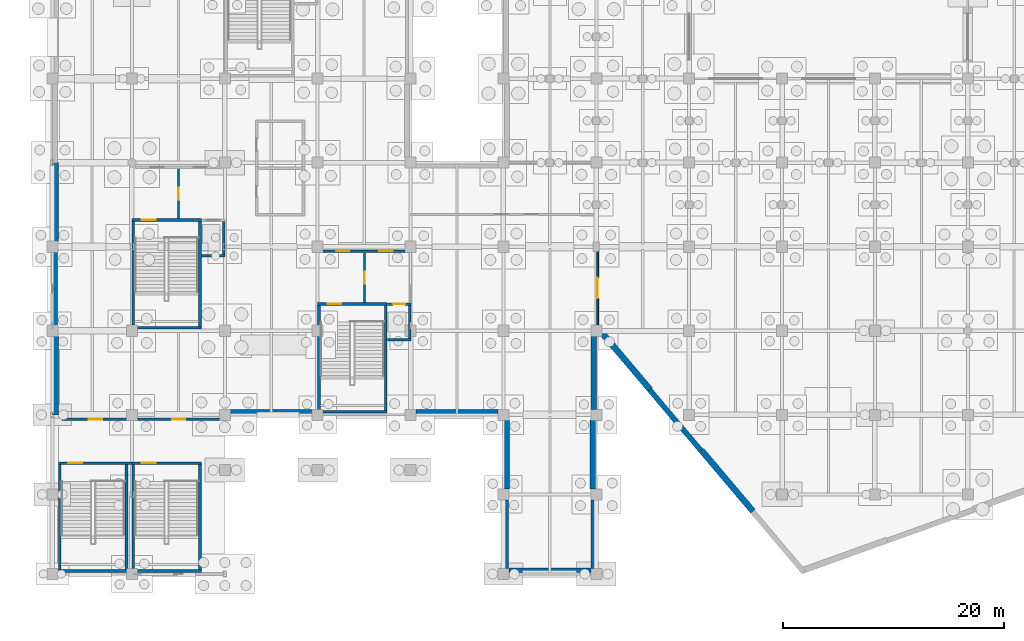
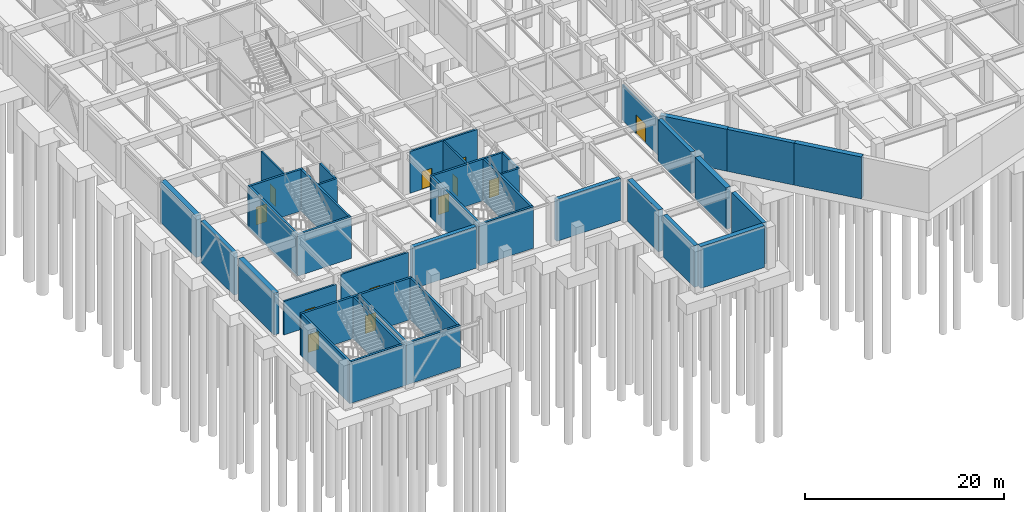
# One storey, part 39 of 52: 41 walls, 12 doors, 12 openings.
"""IFC4 building model written with IfcOpenShell, lengths in metres."""

from ifc_helpers import new_model, si_unit, direction, frame, frame_2d, origin, place, context, subcontext, project, spatial, rectangle, extrude, material, layer, layer_set, type_object, element, fill, save


model = new_model("IFC4")

# Units and contexts
model_context = context("Model", 3, precision=1e-05, world=origin(), true_north=direction((0.0, 1.0)))
body_context = subcontext(model_context, "Body", "Model", "MODEL_VIEW")
ifc_project = project(units=[si_unit("LENGTHUNIT", "METRE"), si_unit("AREAUNIT", "SQUARE_METRE"), si_unit("VOLUMEUNIT", "CUBIC_METRE"), si_unit("PLANEANGLEUNIT", "RADIAN"), si_unit("MASSUNIT", "GRAM", prefix="KILO")], contexts=[model_context])

# Site, building, storey
site_placement = place(None, origin())
site = spatial("IfcSite", under=ifc_project, at=site_placement, CompositionType="ELEMENT")
building_placement = place(site_placement, origin())
building = spatial("IfcBuilding", under=site, at=building_placement, Name="Xicomal Pleat Aquarium", CompositionType="ELEMENT")
storey_placement = place(building_placement, frame((0.0, 0.0, -5.39990234375)))
storey = spatial("IfcBuildingStorey", under=building, at=storey_placement, Name="B1", CompositionType="ELEMENT", Elevation=-5.39990234375)

# Walls
ifc_material_1 = material(Name="Concrete C40/50", Category="concrete")
ifc_layer_1 = layer(ifc_material_1, 0.219970703125)
ifc_layer_set_1 = layer_set([ifc_layer_1], Name="Concrete C40/50")
wall_type_1 = type_object("IfcWallType", Name="WAL-COR-220", PredefinedType="SHEAR", material=ifc_layer_set_1)
wall_1_placement = place(storey_placement, frame((16.5, 29.590087890625, 0.0), z_axis=(0.0, 0.0, 1.0), x_axis=(1.0, 0.0, 0.0)))
element("IfcWall", 1, at=wall_1_placement, inside=storey, type_object=wall_type_1, Name="B1 LF-01 lift shaft wall CW-B1-C1-LS", PredefinedType="SHEAR", context=body_context, shape_type="SweptSolid", body=[
    extrude(rectangle(XDim=2.1201171875, YDim=0.219970703125, at=frame_2d((1.06005859375, 0.0))), origin(), (0.0, 0.0, 1.0), 5.119873046875),
])
wall_2_placement = place(storey_placement, frame((18.510009765625, 29.699951171875, 0.0), z_axis=(0.0, 0.0, 1.0), x_axis=(0.0, 1.0, 0.0)))
element("IfcWall", 2, at=wall_2_placement, inside=storey, type_object=wall_type_1, Name="B1 LF-01 lift shaft wall CW-B1-C1-LE", PredefinedType="SHEAR", context=body_context, shape_type="SweptSolid", body=[
    extrude(rectangle(XDim=3.0, YDim=0.219970703125, at=frame_2d((1.5, 0.0))), origin(), (0.0, 0.0, 1.0), 5.119873046875),
])
wall_3_placement = place(storey_placement, frame((33.300048828125, 21.989990234375, 0.0), z_axis=(0.0, 0.0, 1.0), x_axis=(1.0, 0.0, 0.0)))
element("IfcWall", 3, at=wall_3_placement, inside=storey, type_object=wall_type_1, Name="B1 LF-02 lift shaft wall CW-B1-C2-LS", PredefinedType="SHEAR", context=body_context, shape_type="SweptSolid", body=[
    extrude(rectangle(XDim=2.119873046875, YDim=0.219970703125, at=frame_2d((1.06005859375, 0.0))), origin(), (0.0, 0.0, 1.0), 5.119873046875),
])

# Wall, opening, door
wall_4_placement = place(storey_placement, frame((33.300048828125, 25.2099609375, 0.0), z_axis=(0.0, 0.0, 1.0), x_axis=(1.0, 0.0, 0.0)))
wall_4 = element("IfcWall", 4, at=wall_4_placement, inside=storey, type_object=wall_type_1, Name="B1 LF-02 lift shaft wall CW-B1-C2-LN", PredefinedType="SHEAR", context=body_context, shape_type="SweptSolid", body=[
    extrude(rectangle(XDim=2.119873046875, YDim=0.219970703125, at=frame_2d((1.06005859375, 0.0))), origin(), (0.0, 0.0, 1.0), 5.119873046875),
])
opening_1_placement = place(wall_4_placement, frame((0.510009765625, 0.0, 0.0)))
opening_1 = element("IfcOpeningElement", 5, at=opening_1_placement, cuts=wall_4, Name="Opening LD-02-B1", PredefinedType="OPENING", context=body_context, shape_type="SweptSolid", body=[
    extrude(rectangle(XDim=1.10009765625, YDim=2.14990234375, at=frame_2d((0.550048828125, 1.074951171875))), frame((0.0, 0.119873046875, 0.0), z_axis=(0.0, -1.0, 0.0), x_axis=(1.0, 0.0, 0.0)), (0.0, 0.0, 1.0), 0.239990234375),
])
ifc_material_2 = material(Name="Brushed stainless steel 304", Category="steel")
door_type_1 = type_object("IfcDoorType", Name="DOR-LD-1100x2150", OperationType="DOUBLE_DOOR_SLIDING", PredefinedType="DOOR", material=ifc_material_2)
door_1_placement = place(opening_1_placement, origin())
door_1 = element("IfcDoor", 6, at=door_1_placement, inside=storey, type_object=door_type_1, Name="B1 LF-02 sliding lift landing door", OperationType="DOUBLE_DOOR_SLIDING", OverallHeight=2.14990234375, OverallWidth=1.10009765625, PredefinedType="DOOR", context=body_context, shape_type="SweptSolid", body=[
    extrude(rectangle(XDim=1.10009765625, YDim=2.14990234375, at=frame_2d((0.550048828125, 1.074951171875))), frame((0.0, 0.02490234375, 0.0), z_axis=(0.0, -1.0, 0.0), x_axis=(1.0, 0.0, 0.0)), (0.0, 0.0, 1.0), 0.050048828125),
])
fill(opening_1, door_1)

# Walls
wall_5_placement = place(storey_placement, frame((35.31005859375, 22.10009765625, 0.0), z_axis=(0.0, 0.0, 1.0), x_axis=(0.0, 1.0, 0.0)))
element("IfcWall", 7, at=wall_5_placement, inside=storey, type_object=wall_type_1, Name="B1 LF-02 lift shaft wall CW-B1-C2-LE", PredefinedType="SHEAR", context=body_context, shape_type="SweptSolid", body=[
    extrude(rectangle(XDim=3.0, YDim=0.219970703125, at=frame_2d((1.5, 0.0))), origin(), (0.0, 0.0, 1.0), 5.119873046875),
])
ifc_material_3 = material(Name="Concrete C40/50", Category="concrete")
ifc_layer_2 = layer(ifc_material_3, 0.25)
ifc_layer_set_2 = layer_set([ifc_layer_2], Name="Concrete C40/50")
wall_type_2 = type_object("IfcWallType", Name="WAL-COR-250", PredefinedType="SHEAR", material=ifc_layer_set_2)
wall_6_placement = place(storey_placement, frame((10.18994140625, 23.074951171875, 0.0), z_axis=(0.0, 0.0, 1.0), x_axis=(1.0, 0.0, 0.0)))
element("IfcWall", 8, at=wall_6_placement, inside=storey, type_object=wall_type_2, Name="B1 CORE-1 stair shear wall CW-B1-C1-SS", PredefinedType="SHEAR", context=body_context, shape_type="SweptSolid", body=[
    extrude(rectangle(XDim=6.280029296875, YDim=0.25, at=frame_2d((3.14013671875, 0.0))), origin(), (0.0, 0.0, 1.0), 5.119873046875),
])

# Wall, opening, door
wall_7_placement = place(storey_placement, frame((10.18994140625, 32.824951171875, 0.0), z_axis=(0.0, 0.0, 1.0), x_axis=(1.0, 0.0, 0.0)))
wall_7 = element("IfcWall", 9, at=wall_7_placement, inside=storey, type_object=wall_type_2, Name="B1 CORE-1 stair shear wall CW-B1-C1-SN", PredefinedType="SHEAR", context=body_context, shape_type="SweptSolid", body=[
    extrude(rectangle(XDim=6.280029296875, YDim=0.25, at=frame_2d((3.14013671875, 0.0))), origin(), (0.0, 0.0, 1.0), 5.119873046875),
])
opening_2_placement = place(wall_7_placement, frame((0.89990234375, 0.0, 0.0)))
opening_2 = element("IfcOpeningElement", 10, at=opening_2_placement, cuts=wall_7, Name="Opening SD-01-B1", PredefinedType="OPENING", context=body_context, shape_type="SweptSolid", body=[
    extrude(rectangle(XDim=1.25, YDim=2.199951171875, at=frame_2d((0.625, 1.10009765625))), frame((0.0, 0.135009765625, 0.0), z_axis=(0.0, -1.0, 0.0), x_axis=(1.0, 0.0, 0.0)), (0.0, 0.0, 1.0), 0.27001953125),
])
ifc_material_4 = material(Name="Powder-coated steel fire door", Category="steel")
door_type_2 = type_object("IfcDoorType", Name="DOR-ST-1250x2200", OperationType="NOTDEFINED", PredefinedType="DOOR", material=ifc_material_4)
door_2_placement = place(opening_2_placement, origin())
door_2 = element("IfcDoor", 11, at=door_2_placement, inside=storey, type_object=door_type_2, Name="B1 ST-01 protected stair door", OperationType="SINGLE_SWING_LEFT", OverallHeight=2.199951171875, OverallWidth=1.25, PredefinedType="DOOR", context=body_context, shape_type="SweptSolid", body=[
    extrude(rectangle(XDim=1.25, YDim=2.199951171875, at=frame_2d((0.625, 1.10009765625))), frame((0.0, 0.02490234375, 0.0), z_axis=(0.0, -1.0, 0.0), x_axis=(1.0, 0.0, 0.0)), (0.0, 0.0, 1.0), 0.050048828125),
])
fill(opening_2, door_2)

# Walls
for number, where, z_axis, x_axis, name in (
    (12, (10.31494140625, 23.199951171875, 0.0), (0.0, 0.0, 1.0), (0.0, 1.0, 0.0), "B1 CORE-1 stair shear wall CW-B1-C1-SW"),
    (13, (16.344970703125, 23.199951171875, 0.0), (0.0, 0.0, 1.0), (0.0, 1.0, 0.0), "B1 CORE-1 stair shear wall CW-B1-C1-SE"),
):
    element("IfcWall", number, at=place(storey_placement, frame(where, z_axis=z_axis, x_axis=x_axis)), inside=storey, type_object=wall_type_2, Name=name, PredefinedType="SHEAR", context=body_context, shape_type="SweptSolid", body=[
        extrude(rectangle(XDim=9.5, YDim=0.25, at=frame_2d((4.75, 0.0))), origin(), (0.0, 0.0, 1.0), 5.119873046875),
    ])
wall_8_placement = place(storey_placement, frame((26.989990234375, 15.47509765625, 0.0), z_axis=(0.0, 0.0, 1.0), x_axis=(1.0, 0.0, 0.0)))
element("IfcWall", 14, at=wall_8_placement, inside=storey, type_object=wall_type_2, Name="B1 CORE-2 stair shear wall CW-B1-C2-SS", PredefinedType="SHEAR", context=body_context, shape_type="SweptSolid", body=[
    extrude(rectangle(XDim=6.280029296875, YDim=0.25, at=frame_2d((3.14013671875, 0.0))), origin(), (0.0, 0.0, 1.0), 5.119873046875),
])

# Wall, opening, door
wall_9_placement = place(storey_placement, frame((26.989990234375, 25.22509765625, 0.0), z_axis=(0.0, 0.0, 1.0), x_axis=(1.0, 0.0, 0.0)))
wall_9 = element("IfcWall", 15, at=wall_9_placement, inside=storey, type_object=wall_type_2, Name="B1 CORE-2 stair shear wall CW-B1-C2-SN", PredefinedType="SHEAR", context=body_context, shape_type="SweptSolid", body=[
    extrude(rectangle(XDim=6.280029296875, YDim=0.25, at=frame_2d((3.14013671875, 0.0))), origin(), (0.0, 0.0, 1.0), 5.119873046875),
])
opening_3_placement = place(wall_9_placement, frame((0.89990234375, 0.0, 0.0)))
opening_3 = element("IfcOpeningElement", 16, at=opening_3_placement, cuts=wall_9, Name="Opening SD-02-B1", PredefinedType="OPENING", context=body_context, shape_type="SweptSolid", body=[
    extrude(rectangle(XDim=1.25, YDim=2.199951171875, at=frame_2d((0.625, 1.10009765625))), frame((0.0, 0.135009765625, 0.0), z_axis=(0.0, -1.0, 0.0), x_axis=(1.0, 0.0, 0.0)), (0.0, 0.0, 1.0), 0.27001953125),
])
door_3_placement = place(opening_3_placement, origin())
door_3 = element("IfcDoor", 17, at=door_3_placement, inside=storey, type_object=door_type_2, Name="B1 ST-02 protected stair door", OperationType="SINGLE_SWING_LEFT", OverallHeight=2.199951171875, OverallWidth=1.25, PredefinedType="DOOR", context=body_context, shape_type="SweptSolid", body=[
    extrude(rectangle(XDim=1.25, YDim=2.199951171875, at=frame_2d((0.625, 1.10009765625))), frame((0.0, 0.02490234375, 0.0), z_axis=(0.0, -1.0, 0.0), x_axis=(1.0, 0.0, 0.0)), (0.0, 0.0, 1.0), 0.050048828125),
])
fill(opening_3, door_3)

# Walls
for number, where, z_axis, x_axis, name in (
    (18, (27.114990234375, 15.60009765625, 0.0), (0.0, 0.0, 1.0), (0.0, 1.0, 0.0), "B1 CORE-2 stair shear wall CW-B1-C2-SW"),
    (19, (33.14501953125, 15.60009765625, 0.0), (0.0, 0.0, 1.0), (0.0, 1.0, 0.0), "B1 CORE-2 stair shear wall CW-B1-C2-SE"),
):
    element("IfcWall", number, at=place(storey_placement, frame(where, z_axis=z_axis, x_axis=x_axis)), inside=storey, type_object=wall_type_2, Name=name, PredefinedType="SHEAR", context=body_context, shape_type="SweptSolid", body=[
        extrude(rectangle(XDim=9.5, YDim=0.25, at=frame_2d((4.75, 0.0))), origin(), (0.0, 0.0, 1.0), 5.119873046875),
    ])
wall_10_placement = place(storey_placement, frame((10.18994140625, 1.074951171875, 0.0), z_axis=(0.0, 0.0, 1.0), x_axis=(1.0, 0.0, 0.0)))
element("IfcWall", 20, at=wall_10_placement, inside=storey, type_object=wall_type_2, Name="B1 CORE-9 stair shear wall CW-B1-C9-SS", PredefinedType="SHEAR", context=body_context, shape_type="SweptSolid", body=[
    extrude(rectangle(XDim=6.280029296875, YDim=0.25, at=frame_2d((3.14013671875, 0.0))), origin(), (0.0, 0.0, 1.0), 5.119873046875),
])

# Wall, opening, door
wall_11_placement = place(storey_placement, frame((10.18994140625, 10.824951171875, 0.0), z_axis=(0.0, 0.0, 1.0), x_axis=(1.0, 0.0, 0.0)))
wall_11 = element("IfcWall", 21, at=wall_11_placement, inside=storey, type_object=wall_type_2, Name="B1 CORE-9 stair shear wall CW-B1-C9-SN", PredefinedType="SHEAR", context=body_context, shape_type="SweptSolid", body=[
    extrude(rectangle(XDim=6.280029296875, YDim=0.25, at=frame_2d((3.14013671875, 0.0))), origin(), (0.0, 0.0, 1.0), 5.119873046875),
])
opening_4_placement = place(wall_11_placement, frame((0.89990234375, 0.0, 0.0)))
opening_4 = element("IfcOpeningElement", 22, at=opening_4_placement, cuts=wall_11, Name="Opening SD-09-B1", PredefinedType="OPENING", context=body_context, shape_type="SweptSolid", body=[
    extrude(rectangle(XDim=1.25, YDim=2.199951171875, at=frame_2d((0.625, 1.10009765625))), frame((0.0, 0.135009765625, 0.0), z_axis=(0.0, -1.0, 0.0), x_axis=(1.0, 0.0, 0.0)), (0.0, 0.0, 1.0), 0.27001953125),
])
door_4_placement = place(opening_4_placement, origin())
door_4 = element("IfcDoor", 23, at=door_4_placement, inside=storey, type_object=door_type_2, Name="B1 ST-09 protected stair door", OperationType="SINGLE_SWING_LEFT", OverallHeight=2.199951171875, OverallWidth=1.25, PredefinedType="DOOR", context=body_context, shape_type="SweptSolid", body=[
    extrude(rectangle(XDim=1.25, YDim=2.199951171875, at=frame_2d((0.625, 1.10009765625))), frame((0.0, 0.02490234375, 0.0), z_axis=(0.0, -1.0, 0.0), x_axis=(1.0, 0.0, 0.0)), (0.0, 0.0, 1.0), 0.050048828125),
])
fill(opening_4, door_4)

# Walls
for number, where, z_axis, x_axis, name in (
    (24, (10.31494140625, 1.199951171875, 0.0), (0.0, 0.0, 1.0), (0.0, 1.0, 0.0), "B1 CORE-9 stair shear wall CW-B1-C9-SW"),
    (25, (16.344970703125, 1.199951171875, 0.0), (0.0, 0.0, 1.0), (0.0, 1.0, 0.0), "B1 CORE-9 stair shear wall CW-B1-C9-SE"),
):
    element("IfcWall", number, at=place(storey_placement, frame(where, z_axis=z_axis, x_axis=x_axis)), inside=storey, type_object=wall_type_2, Name=name, PredefinedType="SHEAR", context=body_context, shape_type="SweptSolid", body=[
        extrude(rectangle(XDim=9.5, YDim=0.25, at=frame_2d((4.75, 0.0))), origin(), (0.0, 0.0, 1.0), 5.119873046875),
    ])
wall_12_placement = place(storey_placement, frame((3.550048828125, 1.074951171875, 0.0), z_axis=(0.0, 0.0, 1.0), x_axis=(1.0, 0.0, 0.0)))
element("IfcWall", 26, at=wall_12_placement, inside=storey, type_object=wall_type_2, Name="B1 CORE-10 stair shear wall CW-B1-C10-SS", PredefinedType="SHEAR", context=body_context, shape_type="SweptSolid", body=[
    extrude(rectangle(XDim=6.639892578125, YDim=0.25, at=frame_2d((3.31982421875, 0.0))), origin(), (0.0, 0.0, 1.0), 5.119873046875),
])

# Wall, opening, door
wall_13_placement = place(storey_placement, frame((3.550048828125, 10.824951171875, 0.0), z_axis=(0.0, 0.0, 1.0), x_axis=(1.0, 0.0, 0.0)))
wall_13 = element("IfcWall", 27, at=wall_13_placement, inside=storey, type_object=wall_type_2, Name="B1 CORE-10 stair shear wall CW-B1-C10-SN", PredefinedType="SHEAR", context=body_context, shape_type="SweptSolid", body=[
    extrude(rectangle(XDim=6.639892578125, YDim=0.25, at=frame_2d((3.31982421875, 0.0))), origin(), (0.0, 0.0, 1.0), 5.119873046875),
])
opening_5_placement = place(wall_13_placement, frame((0.89990234375, 0.0, 0.0)))
opening_5 = element("IfcOpeningElement", 28, at=opening_5_placement, cuts=wall_13, Name="Opening SD-10-B1", PredefinedType="OPENING", context=body_context, shape_type="SweptSolid", body=[
    extrude(rectangle(XDim=1.25, YDim=2.199951171875, at=frame_2d((0.625, 1.10009765625))), frame((0.0, 0.135009765625, 0.0), z_axis=(0.0, -1.0, 0.0), x_axis=(1.0, 0.0, 0.0)), (0.0, 0.0, 1.0), 0.27001953125),
])
door_5_placement = place(opening_5_placement, origin())
door_5 = element("IfcDoor", 29, at=door_5_placement, inside=storey, type_object=door_type_2, Name="B1 ST-10 protected stair door", OperationType="SINGLE_SWING_LEFT", OverallHeight=2.199951171875, OverallWidth=1.25, PredefinedType="DOOR", context=body_context, shape_type="SweptSolid", body=[
    extrude(rectangle(XDim=1.25, YDim=2.199951171875, at=frame_2d((0.625, 1.10009765625))), frame((0.0, 0.02490234375, 0.0), z_axis=(0.0, -1.0, 0.0), x_axis=(1.0, 0.0, 0.0)), (0.0, 0.0, 1.0), 0.050048828125),
])
fill(opening_5, door_5)

# Walls
for number, where, z_axis, x_axis, name in (
    (30, (3.675048828125, 1.199951171875, 0.0), (0.0, 0.0, 1.0), (0.0, 1.0, 0.0), "B1 CORE-10 stair shear wall CW-B1-C10-SW"),
    (31, (9.705078125, 1.199951171875, 0.0), (0.0, 0.0, 1.0), (0.0, 1.0, 0.0), "B1 CORE-10 stair shear wall CW-B1-C10-SE"),
):
    element("IfcWall", number, at=place(storey_placement, frame(where, z_axis=z_axis, x_axis=x_axis)), inside=storey, type_object=wall_type_2, Name=name, PredefinedType="SHEAR", context=body_context, shape_type="SweptSolid", body=[
        extrude(rectangle(XDim=9.5, YDim=0.25, at=frame_2d((4.75, 0.0))), origin(), (0.0, 0.0, 1.0), 5.119873046875),
    ])

# Wall, opening, door
ifc_material_5 = material(Name="Water-resistant cement-board wet-lab partition", Category="gypsum")
ifc_layer_3 = layer(ifc_material_5, 0.157958984375)
ifc_layer_set_3 = layer_set([ifc_layer_3], Name="Water-resistant cement-board wet-lab partition")
wall_type_3 = type_object("IfcWallType", Name="WAL-PRT-158", PredefinedType="PARTITIONING", material=ifc_layer_set_3)
wall_14_placement = place(storey_placement, frame((52.320068359375, 22.909912109375, 0.0), z_axis=(0.0, 0.0, 1.0), x_axis=(0.0, 1.0, 0.0)))
wall_14 = element("IfcWall", 32, at=wall_14_placement, inside=storey, type_object=wall_type_3, Name="B1 interior partition PT-B1-010", PredefinedType="PARTITIONING", context=body_context, shape_type="SweptSolid", body=[
    extrude(rectangle(XDim=7.489990234375, YDim=0.157958984375, at=frame_2d((3.7451171875, 0.0))), origin(), (0.0, 0.0, 1.0), 4.344970703125),
])
opening_6_placement = place(wall_14_placement, frame((2.820068359375, 0.0, 0.0)))
opening_6 = element("IfcOpeningElement", 33, at=opening_6_placement, cuts=wall_14, Name="Opening DR-B1-004", PredefinedType="OPENING", context=body_context, shape_type="SweptSolid", body=[
    extrude(rectangle(XDim=1.85009765625, YDim=2.300048828125, at=frame_2d((0.925048828125, 1.14990234375))), frame((0.0, 0.0888671875, 0.0), z_axis=(0.0, -1.0, 0.0), x_axis=(1.0, 0.0, 0.0)), (0.0, 0.0, 1.0), 0.177978515625),
])
ifc_material_6 = material(Name="Solid-core hardwood and anodized aluminium frame", Category="wood")
door_type_3 = type_object("IfcDoorType", Name="DOR-UNR-1850x2300", OperationType="DOUBLE_DOOR_SINGLE_SWING", PredefinedType="DOOR", material=ifc_material_6)
door_6_placement = place(opening_6_placement, origin())
door_6 = element("IfcDoor", 34, at=door_6_placement, inside=storey, type_object=door_type_3, Name="B1 Pelagic Sub-Aquatic Acrylic Viewing Tunnel door DR-B1-004", OperationType="DOUBLE_DOOR_SINGLE_SWING", OverallHeight=2.300048828125, OverallWidth=1.85009765625, PredefinedType="DOOR", context=body_context, shape_type="SweptSolid", body=[
    extrude(rectangle(XDim=1.85009765625, YDim=2.300048828125, at=frame_2d((0.925048828125, 1.14990234375))), frame((0.0, 0.02490234375, 0.0), z_axis=(0.0, -1.0, 0.0), x_axis=(1.0, 0.0, 0.0)), (0.0, 0.0, 1.0), 0.050048828125),
])
fill(opening_6, door_6)

ifc_material_7 = material(Name="Acoustic double-stud drywall partition", Category="gypsum")
ifc_layer_4 = layer(ifc_material_7, 0.195068359375)
ifc_layer_set_4 = layer_set([ifc_layer_4], Name="Acoustic double-stud drywall partition")
wall_type_4 = type_object("IfcWallType", Name="WAL-PRT-195", PredefinedType="PARTITIONING", material=ifc_layer_set_4)
wall_15_placement = place(storey_placement, frame((14.425048828125, 32.949951171875, 0.0), z_axis=(0.0, 0.0, 1.0), x_axis=(0.0, 1.0, 0.0)))
wall_15 = element("IfcWall", 35, at=wall_15_placement, inside=storey, type_object=wall_type_4, Name="B1 firefighting lobby smoke divider 1", PredefinedType="PARTITIONING", context=body_context, shape_type="SweptSolid", body=[
    extrude(rectangle(XDim=4.5, YDim=0.195068359375, at=frame_2d((2.25, 0.0))), origin(), (0.0, 0.0, 1.0), 5.119873046875),
])
opening_7_placement = place(wall_15_placement, frame((1.699951171875, 0.0, 0.0)))
opening_7 = element("IfcOpeningElement", 36, at=opening_7_placement, cuts=wall_15, Name="Opening FD-01C-B1", PredefinedType="OPENING", context=body_context, shape_type="SweptSolid", body=[
    extrude(rectangle(XDim=1.10009765625, YDim=2.14990234375, at=frame_2d((0.550048828125, 1.074951171875))), frame((0.0, 0.107421875, 0.0), z_axis=(0.0, -1.0, 0.0), x_axis=(1.0, 0.0, 0.0)), (0.0, 0.0, 1.0), 0.215087890625),
])
ifc_material_8 = material(Name="Powder-coated steel fire door", Category="steel")
door_type_4 = type_object("IfcDoorType", Name="DOR-LAB-1100x2150", OperationType="NOTDEFINED", PredefinedType="DOOR", material=ifc_material_8)
door_7_placement = place(opening_7_placement, origin())
door_7 = element("IfcDoor", 37, at=door_7_placement, inside=storey, type_object=door_type_4, Name="B1 lobby interconnecting fire door 1C", OperationType="SINGLE_SWING_LEFT", OverallHeight=2.14990234375, OverallWidth=1.10009765625, PredefinedType="DOOR", context=body_context, shape_type="SweptSolid", body=[
    extrude(rectangle(XDim=1.10009765625, YDim=2.14990234375, at=frame_2d((0.550048828125, 1.074951171875))), frame((0.0, 0.02490234375, 0.0), z_axis=(0.0, -1.0, 0.0), x_axis=(1.0, 0.0, 0.0)), (0.0, 0.0, 1.0), 0.050048828125),
])
fill(opening_7, door_7)

wall_16_placement = place(storey_placement, frame((31.22509765625, 25.35009765625, 0.0), z_axis=(0.0, 0.0, 1.0), x_axis=(0.0, 1.0, 0.0)))
wall_16 = element("IfcWall", 38, at=wall_16_placement, inside=storey, type_object=wall_type_4, Name="B1 firefighting lobby smoke divider 2", PredefinedType="PARTITIONING", context=body_context, shape_type="SweptSolid", body=[
    extrude(rectangle(XDim=4.5, YDim=0.195068359375, at=frame_2d((2.25, 0.0))), origin(), (0.0, 0.0, 1.0), 5.119873046875),
])
opening_8_placement = place(wall_16_placement, frame((1.699951171875, 0.0, 0.0)))
opening_8 = element("IfcOpeningElement", 39, at=opening_8_placement, cuts=wall_16, Name="Opening FD-02C-B1", PredefinedType="OPENING", context=body_context, shape_type="SweptSolid", body=[
    extrude(rectangle(XDim=1.10009765625, YDim=2.14990234375, at=frame_2d((0.550048828125, 1.074951171875))), frame((0.0, 0.107421875, 0.0), z_axis=(0.0, -1.0, 0.0), x_axis=(1.0, 0.0, 0.0)), (0.0, 0.0, 1.0), 0.215087890625),
])
door_8_placement = place(opening_8_placement, origin())
door_8 = element("IfcDoor", 40, at=door_8_placement, inside=storey, type_object=door_type_4, Name="B1 lobby interconnecting fire door 2C", OperationType="SINGLE_SWING_LEFT", OverallHeight=2.14990234375, OverallWidth=1.10009765625, PredefinedType="DOOR", context=body_context, shape_type="SweptSolid", body=[
    extrude(rectangle(XDim=1.10009765625, YDim=2.14990234375, at=frame_2d((0.550048828125, 1.074951171875))), frame((0.0, 0.02490234375, 0.0), z_axis=(0.0, -1.0, 0.0), x_axis=(1.0, 0.0, 0.0)), (0.0, 0.0, 1.0), 0.050048828125),
])
fill(opening_8, door_8)

# Wall, openings, doors
ifc_material_9 = material(Name="Fire-rated gypsum and mineral-wool partition", Category="gypsum")
ifc_layer_5 = layer(ifc_material_9, 0.2099609375)
ifc_layer_set_5 = layer_set([ifc_layer_5], Name="Fire-rated gypsum and mineral-wool partition")
wall_type_5 = type_object("IfcWallType", Name="WAL-PRT-210", PredefinedType="PARTITIONING", material=ifc_layer_set_5)
wall_17_placement = place(storey_placement, frame((27.300048828125, 30.0, 0.0), z_axis=(0.0, 0.0, 1.0), x_axis=(1.0, 0.0, 0.0)))
wall_17 = element("IfcWall", 41, at=wall_17_placement, inside=storey, type_object=wall_type_5, Name="B1 CORE-2 lobby fire enclosure wall", PredefinedType="PARTITIONING", context=body_context, shape_type="SweptSolid", body=[
    extrude(rectangle(XDim=7.849853515625, YDim=0.2099609375, at=frame_2d((3.9248046875, 0.0))), origin(), (0.0, 0.0, 1.0), 5.119873046875),
])
opening_9_placement = place(wall_17_placement, frame((1.362060546875, 0.0, 0.0)))
opening_9 = element("IfcOpeningElement", 42, at=opening_9_placement, cuts=wall_17, Name="Opening FD-02A-B1", PredefinedType="OPENING", context=body_context, shape_type="SweptSolid", body=[
    extrude(rectangle(XDim=1.199951171875, YDim=2.199951171875, at=frame_2d((0.60009765625, 1.10009765625))), frame((0.0, 0.114990234375, 0.0), z_axis=(0.0, -1.0, 0.0), x_axis=(1.0, 0.0, 0.0)), (0.0, 0.0, 1.0), 0.22998046875),
])
opening_10_placement = place(wall_17_placement, frame((5.287109375, 0.0, 0.0)))
opening_10 = element("IfcOpeningElement", 43, at=opening_10_placement, cuts=wall_17, Name="Opening FD-02B-B1", PredefinedType="OPENING", context=body_context, shape_type="SweptSolid", body=[
    extrude(rectangle(XDim=1.199951171875, YDim=2.199951171875, at=frame_2d((0.60009765625, 1.10009765625))), frame((0.0, 0.114990234375, 0.0), z_axis=(0.0, -1.0, 0.0), x_axis=(1.0, 0.0, 0.0)), (0.0, 0.0, 1.0), 0.22998046875),
])
ifc_material_10 = material(Name="Powder-coated steel fire door", Category="steel")
door_type_5 = type_object("IfcDoorType", Name="DOR-FFL-1200x2200", OperationType="NOTDEFINED", PredefinedType="DOOR", material=ifc_material_10)
door_9_placement = place(opening_9_placement, origin())
door_9 = element("IfcDoor", 44, at=door_9_placement, inside=storey, type_object=door_type_5, Name="B1 firefighting lobby door 2A", OperationType="SINGLE_SWING_LEFT", OverallHeight=2.199951171875, OverallWidth=1.199951171875, PredefinedType="DOOR", context=body_context, shape_type="SweptSolid", body=[
    extrude(rectangle(XDim=1.199951171875, YDim=2.199951171875, at=frame_2d((0.60009765625, 1.10009765625))), frame((0.0, 0.02490234375, 0.0), z_axis=(0.0, -1.0, 0.0), x_axis=(1.0, 0.0, 0.0)), (0.0, 0.0, 1.0), 0.050048828125),
])
fill(opening_9, door_9)
door_10_placement = place(opening_10_placement, origin())
door_10 = element("IfcDoor", 45, at=door_10_placement, inside=storey, type_object=door_type_5, Name="B1 lift lobby door 2B", OperationType="SINGLE_SWING_RIGHT", OverallHeight=2.199951171875, OverallWidth=1.199951171875, PredefinedType="DOOR", context=body_context, shape_type="SweptSolid", body=[
    extrude(rectangle(XDim=1.199951171875, YDim=2.199951171875, at=frame_2d((0.60009765625, 1.10009765625))), frame((0.0, 0.02490234375, 0.0), z_axis=(0.0, -1.0, 0.0), x_axis=(1.0, 0.0, 0.0)), (0.0, 0.0, 1.0), 0.050048828125),
])
fill(opening_10, door_10)

# Wall, opening, door
wall_18_placement = place(storey_placement, frame((10.5, 14.800048828125, 0.0), z_axis=(0.0, 0.0, 1.0), x_axis=(1.0, 0.0, 0.0)))
wall_18 = element("IfcWall", 46, at=wall_18_placement, inside=storey, type_object=wall_type_5, Name="B1 CORE-9 lobby fire enclosure wall", PredefinedType="PARTITIONING", context=body_context, shape_type="SweptSolid", body=[
    extrude(rectangle(XDim=7.85009765625, YDim=0.2099609375, at=frame_2d((3.925048828125, 0.0))), origin(), (0.0, 0.0, 1.0), 5.119873046875),
])
opening_11_placement = place(wall_18_placement, frame((3.324951171875, 0.0, 0.0)))
opening_11 = element("IfcOpeningElement", 47, at=opening_11_placement, cuts=wall_18, Name="Opening FD-09A-B1", PredefinedType="OPENING", context=body_context, shape_type="SweptSolid", body=[
    extrude(rectangle(XDim=1.199951171875, YDim=2.199951171875, at=frame_2d((0.60009765625, 1.10009765625))), frame((0.0, 0.114990234375, 0.0), z_axis=(0.0, -1.0, 0.0), x_axis=(1.0, 0.0, 0.0)), (0.0, 0.0, 1.0), 0.22998046875),
])
door_11_placement = place(opening_11_placement, origin())
door_11 = element("IfcDoor", 48, at=door_11_placement, inside=storey, type_object=door_type_5, Name="B1 firefighting lobby door 9A", OperationType="SINGLE_SWING_LEFT", OverallHeight=2.199951171875, OverallWidth=1.199951171875, PredefinedType="DOOR", context=body_context, shape_type="SweptSolid", body=[
    extrude(rectangle(XDim=1.199951171875, YDim=2.199951171875, at=frame_2d((0.60009765625, 1.10009765625))), frame((0.0, 0.02490234375, 0.0), z_axis=(0.0, -1.0, 0.0), x_axis=(1.0, 0.0, 0.0)), (0.0, 0.0, 1.0), 0.050048828125),
])
fill(opening_11, door_11)

wall_19_placement = place(storey_placement, frame((3.860107421875, 14.800048828125, 0.0), z_axis=(0.0, 0.0, 1.0), x_axis=(1.0, 0.0, 0.0)))
wall_19 = element("IfcWall", 49, at=wall_19_placement, inside=storey, type_object=wall_type_5, Name="B1 CORE-10 lobby fire enclosure wall", PredefinedType="PARTITIONING", context=body_context, shape_type="SweptSolid", body=[
    extrude(rectangle(XDim=6.08984375, YDim=0.2099609375, at=frame_2d((3.044921875, 0.0))), origin(), (0.0, 0.0, 1.0), 4.114990234375),
])
opening_12_placement = place(wall_19_placement, frame((2.445068359375, 0.0, 0.0)))
opening_12 = element("IfcOpeningElement", 50, at=opening_12_placement, cuts=wall_19, Name="Opening FD-10A-B1", PredefinedType="OPENING", context=body_context, shape_type="SweptSolid", body=[
    extrude(rectangle(XDim=1.199951171875, YDim=2.199951171875, at=frame_2d((0.60009765625, 1.10009765625))), frame((0.0, 0.114990234375, 0.0), z_axis=(0.0, -1.0, 0.0), x_axis=(1.0, 0.0, 0.0)), (0.0, 0.0, 1.0), 0.22998046875),
])
door_12_placement = place(opening_12_placement, origin())
door_12 = element("IfcDoor", 51, at=door_12_placement, inside=storey, type_object=door_type_5, Name="B1 firefighting lobby door 10A", OperationType="SINGLE_SWING_LEFT", OverallHeight=2.199951171875, OverallWidth=1.199951171875, PredefinedType="DOOR", context=body_context, shape_type="SweptSolid", body=[
    extrude(rectangle(XDim=1.199951171875, YDim=2.199951171875, at=frame_2d((0.60009765625, 1.10009765625))), frame((0.0, 0.02490234375, 0.0), z_axis=(0.0, -1.0, 0.0), x_axis=(1.0, 0.0, 0.0)), (0.0, 0.0, 1.0), 0.050048828125),
])
fill(opening_12, door_12)

# Walls
ifc_material_11 = material(Name="Waterproof concrete C40/50", Category="concrete")
ifc_layer_6 = layer(ifc_material_11, 0.4599609375)
ifc_layer_set_6 = layer_set([ifc_layer_6], Name="Waterproof concrete C40/50")
wall_type_6 = type_object("IfcWallType", Name="WAL-RET-460", PredefinedType="USERDEFINED", material=ifc_layer_set_6)
wall_20_placement = place(storey_placement, frame((61.676025390625, 11.947998046875, 0.0), z_axis=(0.0, 0.0, 1.0), x_axis=(-0.645642843129, 0.76363952171, 0.0)))
element("IfcWall", 52, at=wall_20_placement, inside=storey, type_object=wall_type_6, Name="Basement waterproof retaining wall RW-B1-059", ObjectType="RETAINING WALL", PredefinedType="USERDEFINED", context=body_context, shape_type="SweptSolid", body=[
    extrude(rectangle(XDim=7.202392578125, YDim=0.4599609375, at=frame_2d((3.60107421875, 0.0))), origin(), (0.0, 0.0, 1.0), 5.159912109375),
])
wall_21_placement = place(storey_placement, frame((51.969970703125, 22.31494140625, 0.0), z_axis=(0.0, 0.0, 1.0), x_axis=(0.0, -1.0, 0.0)))
element("IfcWall", 53, at=wall_21_placement, inside=storey, type_object=wall_type_6, Name="Basement waterproof retaining wall RW-B1-061", ObjectType="RETAINING WALL", PredefinedType="USERDEFINED", context=body_context, shape_type="SweptSolid", body=[
    extrude(rectangle(XDim=6.6298828125, YDim=0.4599609375, at=frame_2d((3.31494140625, 0.0))), origin(), (0.0, 0.0, 1.0), 5.119873046875),
])
for number, where, z_axis, x_axis, name in (
    (54, (51.969970703125, 7.514892578125, 0.0), (0.0, 0.0, 1.0), (0.0, -1.0, 0.0), "Basement waterproof retaining wall RW-B1-063"),
    (55, (44.030029296875, 1.284912109375, 0.0), (0.0, 0.0, 1.0), (0.0, 1.0, 0.0), "Basement waterproof retaining wall RW-B1-065"),
):
    element("IfcWall", number, at=place(storey_placement, frame(where, z_axis=z_axis, x_axis=x_axis)), inside=storey, type_object=wall_type_6, Name=name, ObjectType="RETAINING WALL", PredefinedType="USERDEFINED", context=body_context, shape_type="SweptSolid", body=[
        extrude(rectangle(XDim=6.22998046875, YDim=0.4599609375, at=frame_2d((3.114990234375, 0.0))), origin(), (0.0, 0.0, 1.0), 5.119873046875),
    ])
for number, where, z_axis, x_axis, name in (
    (56, (43.31494140625, 15.429931640625, 0.0), (0.0, 0.0, 1.0), (-1.0, 0.0, 0.0), "Basement waterproof retaining wall RW-B1-067"),
    (57, (26.514892578125, 15.429931640625, 0.0), (0.0, 0.0, 1.0), (-1.0, 0.0, 0.0), "Basement waterproof retaining wall RW-B1-069"),
):
    element("IfcWall", number, at=place(storey_placement, frame(where, z_axis=z_axis, x_axis=x_axis)), inside=storey, type_object=wall_type_6, Name=name, ObjectType="RETAINING WALL", PredefinedType="USERDEFINED", context=body_context, shape_type="SweptSolid", body=[
        extrude(rectangle(XDim=7.429931640625, YDim=0.4599609375, at=frame_2d((3.71484375, 0.0))), origin(), (0.0, 0.0, 1.0), 5.119873046875),
    ])
wall_22_placement = place(storey_placement, frame((3.22998046875, 23.284912109375, 0.0), z_axis=(0.0, 0.0, 1.0), x_axis=(0.0, 1.0, 0.0)))
element("IfcWall", 58, at=wall_22_placement, inside=storey, type_object=wall_type_6, Name="Basement waterproof retaining wall RW-B1-077", ObjectType="RETAINING WALL", PredefinedType="USERDEFINED", context=body_context, shape_type="SweptSolid", body=[
    extrude(rectangle(XDim=6.630126953125, YDim=0.4599609375, at=frame_2d((3.31494140625, 0.0))), origin(), (0.0, 0.0, 1.0), 5.119873046875),
])
ifc_material_12 = material(Name="Waterproof concrete C40/50", Category="concrete")
ifc_layer_7 = layer(ifc_material_12, 0.550048828125)
ifc_layer_set_7 = layer_set([ifc_layer_7], Name="Waterproof concrete C40/50")
wall_type_7 = type_object("IfcWallType", Name="WAL-RET-550", PredefinedType="USERDEFINED", material=ifc_layer_set_7)
for number, where, z_axis, x_axis, name in (
    (59, (66.360107421875, 6.47802734375, 0.0), (0.0, 0.0, 1.0), (-0.645642843129, 0.76363952171, 0.0), "Basement waterproof retaining wall RW-B1-058"),
    (60, (57.06005859375, 17.47802734375, 0.0), (0.0, 0.0, 1.0), (-0.645642843129, 0.76363952171, 0.0), "Basement waterproof retaining wall RW-B1-060"),
):
    element("IfcWall", number, at=place(storey_placement, frame(where, z_axis=z_axis, x_axis=x_axis)), inside=storey, type_object=wall_type_7, Name=name, ObjectType="RETAINING WALL", PredefinedType="USERDEFINED", context=body_context, shape_type="SweptSolid", body=[
        extrude(rectangle(XDim=7.202392578125, YDim=0.550048828125, at=frame_2d((3.60107421875, 0.0))), origin(), (0.0, 0.0, 1.0), 5.159912109375),
    ])
wall_23_placement = place(storey_placement, frame((51.925048828125, 14.715087890625, 0.0), z_axis=(0.0, 0.0, 1.0), x_axis=(0.0, -1.0, 0.0)))
element("IfcWall", 61, at=wall_23_placement, inside=storey, type_object=wall_type_7, Name="Basement waterproof retaining wall RW-B1-062", ObjectType="RETAINING WALL", PredefinedType="USERDEFINED", context=body_context, shape_type="SweptSolid", body=[
    extrude(rectangle(XDim=6.22998046875, YDim=0.550048828125, at=frame_2d((3.114990234375, 0.0))), origin(), (0.0, 0.0, 1.0), 5.119873046875),
])
wall_24_placement = place(storey_placement, frame((51.715087890625, 1.074951171875, 0.0), z_axis=(0.0, 0.0, 1.0), x_axis=(-1.0, 0.0, 0.0)))
element("IfcWall", 62, at=wall_24_placement, inside=storey, type_object=wall_type_7, Name="Basement waterproof retaining wall RW-B1-064", ObjectType="RETAINING WALL", PredefinedType="USERDEFINED", context=body_context, shape_type="SweptSolid", body=[
    extrude(rectangle(XDim=7.43017578125, YDim=0.550048828125, at=frame_2d((3.715087890625, 0.0))), origin(), (0.0, 0.0, 1.0), 5.119873046875),
])
wall_25_placement = place(storey_placement, frame((44.074951171875, 8.485107421875, 0.0), z_axis=(0.0, 0.0, 1.0), x_axis=(0.0, 1.0, 0.0)))
element("IfcWall", 63, at=wall_25_placement, inside=storey, type_object=wall_type_7, Name="Basement waterproof retaining wall RW-B1-066", ObjectType="RETAINING WALL", PredefinedType="USERDEFINED", context=body_context, shape_type="SweptSolid", body=[
    extrude(rectangle(XDim=6.22998046875, YDim=0.550048828125, at=frame_2d((3.114990234375, 0.0))), origin(), (0.0, 0.0, 1.0), 5.119873046875),
])
for number, where, z_axis, x_axis, name in (
    (64, (3.27490234375, 15.179931640625, 0.0), (0.0, 0.0, 1.0), (0.0, 1.0, 0.0), "Basement waterproof retaining wall RW-B1-076"),
    (65, (3.27490234375, 30.885009765625, 0.0), (0.0, 0.0, 1.0), (0.0, 1.0, 0.0), "Basement waterproof retaining wall RW-B1-078"),
):
    element("IfcWall", number, at=place(storey_placement, frame(where, z_axis=z_axis, x_axis=x_axis)), inside=storey, type_object=wall_type_7, Name=name, ObjectType="RETAINING WALL", PredefinedType="USERDEFINED", context=body_context, shape_type="SweptSolid", body=[
        extrude(rectangle(XDim=7.135009765625, YDim=0.550048828125, at=frame_2d((3.5673828125, 0.0))), origin(), (0.0, 0.0, 1.0), 5.119873046875),
    ])

save(model, "model.ifc")
